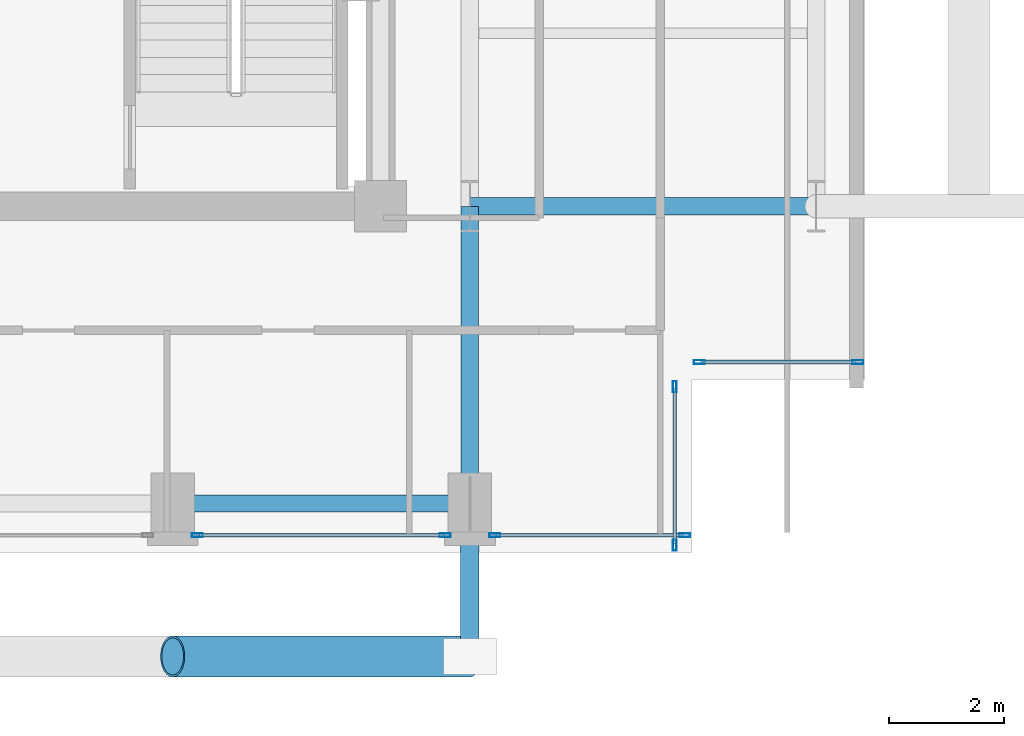
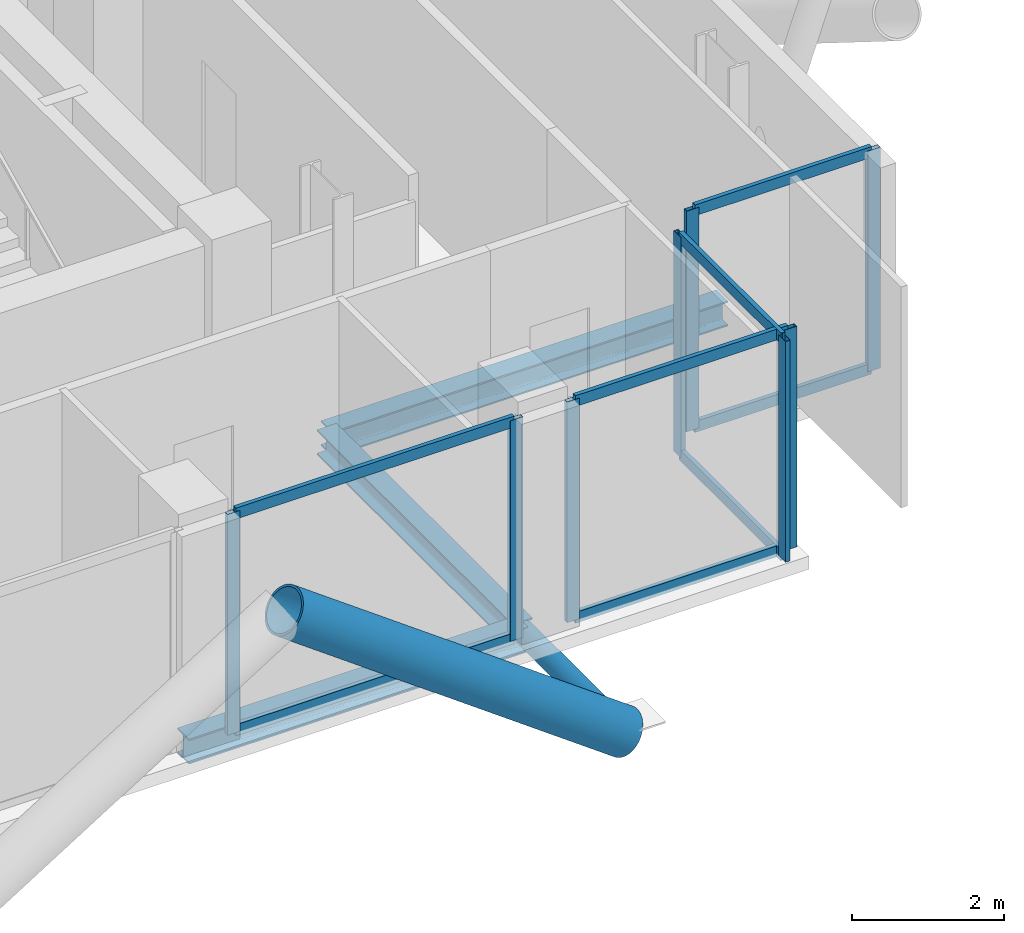
# One storey, part 10 of 22: 18 members, 3 beams, 4 elements without a shape of their own.
"""IFC4 building model written with IfcOpenShell, lengths in metres."""

from ifc_helpers import new_model, si_unit, direction, frame, origin, origin_2d, place, context, subcontext, project, spatial, hollow_rectangle, hollow_circle, i_section, extrude, material, layer, layer_set, material_profile, profile_set, type_object, element, aggregate, save


model = new_model("IFC4")

# Units and contexts
model_context = context("Model", 3, precision=1e-05, world=origin(), true_north=direction((0.0, 1.0)))
body_context = subcontext(model_context, "Body", "Model", "MODEL_VIEW")
ifc_project = project(units=[si_unit("LENGTHUNIT", "METRE"), si_unit("AREAUNIT", "SQUARE_METRE"), si_unit("VOLUMEUNIT", "CUBIC_METRE"), si_unit("PLANEANGLEUNIT", "RADIAN"), si_unit("MASSUNIT", "GRAM", prefix="KILO"), si_unit("THERMODYNAMICTEMPERATUREUNIT", "KELVIN"), si_unit("POWERUNIT", "WATT")], contexts=[model_context])

# Site, building, storey
site_placement = place(None, origin())
site = spatial("IfcSite", under=ifc_project, at=site_placement, CompositionType="ELEMENT")
building_placement = place(site_placement, origin())
building = spatial("IfcBuilding", under=site, at=building_placement, Name="Svarakhadi Broadcast Tower", CompositionType="ELEMENT")
storey_placement = place(building_placement, frame((0.0, 0.0, 191.699951171875)))
storey = spatial("IfcBuildingStorey", under=building, at=storey_placement, Name="L47", CompositionType="ELEMENT", Elevation=191.699951171875)

# Curtain wall, members
ifc_material_1 = material(Name="Anodised Bronze Aluminium AA 6063-T6", Category="aluminium")
ifc_layer = layer(ifc_material_1, 0.18994140625)
ifc_layer_set = layer_set([ifc_layer], Name="Anodised Bronze Aluminium AA 6063-T6")
curtain_wall_type = type_object("IfcCurtainWallType", Name="CW_Sys_04", PredefinedType="NOTDEFINED", material=ifc_layer_set)
curtain_wall_1_placement = place(storey_placement, origin())
curtain_wall_1 = element("IfcCurtainWall", 1, at=curtain_wall_1_placement, inside=storey, type_object=curtain_wall_type, Name="L47 Unitised Facade Curtain Wall 13", PredefinedType="NOTDEFINED")
ifc_material_profile_1 = material_profile(ifc_material_1, hollow_rectangle(XDim=0.070068359375, YDim=0.18994140625, WallThickness=0.005615234375, at=origin_2d()), Name="ALU MULLION 190x70x6")
ifc_profile_set_1 = profile_set([ifc_material_profile_1], Name="Anodised Bronze Aluminium AA 6063-T6")
member_type_1 = type_object("IfcMemberType", Name="CW_Sys_04_Mul", PredefinedType="MULLION", material=ifc_profile_set_1)
member_1_placement = place(storey_placement, frame((41.875, 3.300048828125, 0.0), z_axis=(0.0, 0.0, 1.0), x_axis=(0.0, -1.0, 0.0)))
member_1 = element("IfcMember", 2, at=member_1_placement, type_object=member_type_1, Name="CW-04 mullion 1", PredefinedType="MULLION", context=body_context, shape_type="SweptSolid", body=[
    extrude(hollow_rectangle(XDim=0.070068359375, YDim=0.18994140625, WallThickness=0.005615234375, at=origin_2d()), origin(), (0.0, 0.0, 1.0), 3.5400390625),
])
member_2_placement = place(storey_placement, frame((39.125, 3.300048828125, 0.0), z_axis=(0.0, 0.0, 1.0), x_axis=(0.0, -1.0, 0.0)))
member_2 = element("IfcMember", 3, at=member_2_placement, type_object=member_type_1, Name="CW-04 mullion 2", PredefinedType="MULLION", context=body_context, shape_type="SweptSolid", body=[
    extrude(hollow_rectangle(XDim=0.070068359375, YDim=0.18994140625, WallThickness=0.005615234375, at=origin_2d()), origin(), (0.0, 0.0, 1.0), 3.5400390625),
])

curtain_wall_2_placement = place(storey_placement, origin())
curtain_wall_2 = element("IfcCurtainWall", 4, at=curtain_wall_2_placement, inside=storey, type_object=curtain_wall_type, Name="L47 Unitised Facade Curtain Wall 14", PredefinedType="NOTDEFINED")
member_3_placement = place(storey_placement, frame((38.699951171875, 2.875, 0.0), z_axis=(0.0, 0.0, 1.0), x_axis=(1.0, 0.0, 0.0)))
member_3 = element("IfcMember", 5, at=member_3_placement, type_object=member_type_1, Name="CW-04 mullion 1", PredefinedType="MULLION", context=body_context, shape_type="SweptSolid", body=[
    extrude(hollow_rectangle(XDim=0.070068359375, YDim=0.18994140625, WallThickness=0.005615234375, at=origin_2d()), origin(), (0.0, 0.0, 1.0), 3.5400390625),
])
member_4_placement = place(storey_placement, frame((38.699951171875, 0.125, 0.0), z_axis=(0.0, 0.0, 1.0), x_axis=(1.0, 0.0, 0.0)))
member_4 = element("IfcMember", 6, at=member_4_placement, type_object=member_type_1, Name="CW-04 mullion 2", PredefinedType="MULLION", context=body_context, shape_type="SweptSolid", body=[
    extrude(hollow_rectangle(XDim=0.070068359375, YDim=0.18994140625, WallThickness=0.005615234375, at=origin_2d()), origin(), (0.0, 0.0, 1.0), 3.5400390625),
])

curtain_wall_3_placement = place(storey_placement, origin())
curtain_wall_3 = element("IfcCurtainWall", 7, at=curtain_wall_3_placement, inside=storey, type_object=curtain_wall_type, Name="L47 South Curtain Wall 15 Bay 1", PredefinedType="NOTDEFINED")
member_5_placement = place(storey_placement, frame((38.875, 0.300048828125, 0.0), z_axis=(0.0, 0.0, 1.0), x_axis=(0.0, -1.0, 0.0)))
member_5 = element("IfcMember", 8, at=member_5_placement, type_object=member_type_1, Name="CW-04 mullion 1", PredefinedType="MULLION", context=body_context, shape_type="SweptSolid", body=[
    extrude(hollow_rectangle(XDim=0.070068359375, YDim=0.18994140625, WallThickness=0.005615234375, at=origin_2d()), origin(), (0.0, 0.0, 1.0), 3.5400390625),
])
member_6_placement = place(storey_placement, frame((35.580078125, 0.300048828125, 0.0), z_axis=(0.0, 0.0, 1.0), x_axis=(0.0, -1.0, 0.0)))
member_6 = element("IfcMember", 9, at=member_6_placement, type_object=member_type_1, Name="CW-04 mullion 2", PredefinedType="MULLION", context=body_context, shape_type="SweptSolid", body=[
    extrude(hollow_rectangle(XDim=0.070068359375, YDim=0.18994140625, WallThickness=0.005615234375, at=origin_2d()), origin(), (0.0, 0.0, 1.0), 3.5400390625),
])

curtain_wall_4_placement = place(storey_placement, origin())
curtain_wall_4 = element("IfcCurtainWall", 10, at=curtain_wall_4_placement, inside=storey, type_object=curtain_wall_type, Name="L47 South Curtain Wall 15 Bay 2", PredefinedType="NOTDEFINED")
member_7_placement = place(storey_placement, frame((34.719970703125, 0.300048828125, 0.0), z_axis=(0.0, 0.0, 1.0), x_axis=(0.0, -1.0, 0.0)))
member_7 = element("IfcMember", 11, at=member_7_placement, type_object=member_type_1, Name="CW-04 mullion 1", PredefinedType="MULLION", context=body_context, shape_type="SweptSolid", body=[
    extrude(hollow_rectangle(XDim=0.070068359375, YDim=0.18994140625, WallThickness=0.005615234375, at=origin_2d()), origin(), (0.0, 0.0, 1.0), 3.5400390625),
])
member_8_placement = place(storey_placement, frame((30.429931640625, 0.300048828125, 0.0), z_axis=(0.0, 0.0, 1.0), x_axis=(0.0, -1.0, 0.0)))
member_8 = element("IfcMember", 12, at=member_8_placement, type_object=member_type_1, Name="CW-04 mullion 2", PredefinedType="MULLION", context=body_context, shape_type="SweptSolid", body=[
    extrude(hollow_rectangle(XDim=0.070068359375, YDim=0.18994140625, WallThickness=0.005615234375, at=origin_2d()), origin(), (0.0, 0.0, 1.0), 3.5400390625),
])

# Member
ifc_material_profile_2 = material_profile(ifc_material_1, hollow_rectangle(XDim=0.06494140625, YDim=0.175048828125, WallThickness=0.0048828125, at=origin_2d()), Name="ALU TRANSOM 175x65x5")
ifc_profile_set_2 = profile_set([ifc_material_profile_2], Name="Anodised Bronze Aluminium AA 6063-T6")
member_type_2 = type_object("IfcMemberType", Name="CW_Sys_04_Trn", PredefinedType="USERDEFINED", material=ifc_profile_set_2)
member_9_placement = place(storey_placement, frame((41.840087890625, 3.300048828125, 0.032470703125), z_axis=(-1.0, 0.0, 0.0), x_axis=(0.0, -1.0, 0.0)))
member_9 = element("IfcMember", 13, at=member_9_placement, type_object=member_type_2, Name="CW-04 transom 1.1", ObjectType="TRANSOM", PredefinedType="USERDEFINED", context=body_context, shape_type="SweptSolid", body=[
    extrude(hollow_rectangle(XDim=0.06494140625, YDim=0.175048828125, WallThickness=0.0048828125, at=origin_2d()), origin(), (0.0, 0.0, 1.0), 2.68017578125),
])

member_10_placement = place(storey_placement, frame((41.840087890625, 3.300048828125, 3.507568359375), z_axis=(-1.0, 0.0, 0.0), x_axis=(0.0, -1.0, 0.0)))
member_10 = element("IfcMember", 14, at=member_10_placement, type_object=member_type_2, Name="CW-04 transom 1.2", ObjectType="TRANSOM", PredefinedType="USERDEFINED", context=body_context, shape_type="SweptSolid", body=[
    extrude(hollow_rectangle(XDim=0.06494140625, YDim=0.175048828125, WallThickness=0.0048828125, at=origin_2d()), origin(), (0.0, 0.0, 1.0), 2.68017578125),
])

aggregate(curtain_wall_1, [member_1, member_2, member_9, member_10])

member_11_placement = place(storey_placement, frame((38.699951171875, 2.840087890625, 0.032470703125), z_axis=(0.0, -1.0, 0.0), x_axis=(1.0, 0.0, 0.0)))
member_11 = element("IfcMember", 15, at=member_11_placement, type_object=member_type_2, Name="CW-04 transom 1.1", ObjectType="TRANSOM", PredefinedType="USERDEFINED", context=body_context, shape_type="SweptSolid", body=[
    extrude(hollow_rectangle(XDim=0.06494140625, YDim=0.175048828125, WallThickness=0.0048828125, at=origin_2d()), origin(), (0.0, 0.0, 1.0), 2.68017578125),
])

member_12_placement = place(storey_placement, frame((38.699951171875, 2.840087890625, 3.507568359375), z_axis=(0.0, -1.0, 0.0), x_axis=(1.0, 0.0, 0.0)))
member_12 = element("IfcMember", 16, at=member_12_placement, type_object=member_type_2, Name="CW-04 transom 1.2", ObjectType="TRANSOM", PredefinedType="USERDEFINED", context=body_context, shape_type="SweptSolid", body=[
    extrude(hollow_rectangle(XDim=0.06494140625, YDim=0.175048828125, WallThickness=0.0048828125, at=origin_2d()), origin(), (0.0, 0.0, 1.0), 2.68017578125),
])

aggregate(curtain_wall_2, [member_3, member_4, member_11, member_12])

member_13_placement = place(storey_placement, frame((38.840087890625, 0.300048828125, 0.032470703125), z_axis=(-1.0, 0.0, 0.0), x_axis=(0.0, -1.0, 0.0)))
member_13 = element("IfcMember", 17, at=member_13_placement, type_object=member_type_2, Name="CW-04 transom 1.1", ObjectType="TRANSOM", PredefinedType="USERDEFINED", context=body_context, shape_type="SweptSolid", body=[
    extrude(hollow_rectangle(XDim=0.06494140625, YDim=0.175048828125, WallThickness=0.0048828125, at=origin_2d()), origin(), (0.0, 0.0, 1.0), 3.22509765625),
])

member_14_placement = place(storey_placement, frame((38.840087890625, 0.300048828125, 3.507568359375), z_axis=(-1.0, 0.0, 0.0), x_axis=(0.0, -1.0, 0.0)))
member_14 = element("IfcMember", 18, at=member_14_placement, type_object=member_type_2, Name="CW-04 transom 1.2", ObjectType="TRANSOM", PredefinedType="USERDEFINED", context=body_context, shape_type="SweptSolid", body=[
    extrude(hollow_rectangle(XDim=0.06494140625, YDim=0.175048828125, WallThickness=0.0048828125, at=origin_2d()), origin(), (0.0, 0.0, 1.0), 3.22509765625),
])

aggregate(curtain_wall_3, [member_5, member_6, member_13, member_14])

member_15_placement = place(storey_placement, frame((34.68505859375, 0.300048828125, 0.032470703125), z_axis=(-1.0, 0.0, 0.0), x_axis=(0.0, -1.0, 0.0)))
member_15 = element("IfcMember", 19, at=member_15_placement, type_object=member_type_2, Name="CW-04 transom 1.1", ObjectType="TRANSOM", PredefinedType="USERDEFINED", context=body_context, shape_type="SweptSolid", body=[
    extrude(hollow_rectangle(XDim=0.06494140625, YDim=0.175048828125, WallThickness=0.0048828125, at=origin_2d()), origin(), (0.0, 0.0, 1.0), 4.219970703125),
])

member_16_placement = place(storey_placement, frame((34.68505859375, 0.300048828125, 3.507568359375), z_axis=(-1.0, 0.0, 0.0), x_axis=(0.0, -1.0, 0.0)))
member_16 = element("IfcMember", 20, at=member_16_placement, type_object=member_type_2, Name="CW-04 transom 1.2", ObjectType="TRANSOM", PredefinedType="USERDEFINED", context=body_context, shape_type="SweptSolid", body=[
    extrude(hollow_rectangle(XDim=0.06494140625, YDim=0.175048828125, WallThickness=0.0048828125, at=origin_2d()), origin(), (0.0, 0.0, 1.0), 4.219970703125),
])

aggregate(curtain_wall_4, [member_7, member_8, member_15, member_16])

# Members
ifc_material_2 = material(Name="Steel S460ML (IS 2062 E450BR)", Category="steel")
ifc_material_profile_3 = material_profile(ifc_material_2, hollow_circle(Radius=0.35546875, WallThickness=0.034912109375, at=origin_2d()), Name="CHS 711x35")
ifc_profile_set_3 = profile_set([ifc_material_profile_3], Name="Steel S460ML (IS 2062 E450BR)")
member_type_3 = type_object("IfcMemberType", Name="Exo_Brace_CHS711", PredefinedType="BRACE", material=ifc_profile_set_3)
member_17_placement = place(storey_placement, frame((35.14990234375, -1.800048828125, -0.371826171875), z_axis=(-0.808391243061, 0.0, 0.588645562407), x_axis=(0.0, -1.0, 0.0)))
element("IfcMember", 21, at=member_17_placement, inside=storey, type_object=member_type_3, Name="L47 Exposed Bronze Exoskeleton Diagonal S02", PredefinedType="BRACE", context=body_context, shape_type="SweptSolid", body=[
    extrude(hollow_circle(Radius=0.35546875, WallThickness=0.034912109375, at=origin_2d()), origin(), (0.0, 0.0, 1.0), 6.37060546875),
])
ifc_material_profile_4 = material_profile(ifc_material_2, hollow_circle(Radius=0.161865234375, WallThickness=0.01611328125, at=origin_2d()), Name="CHS 323.9x16")
ifc_profile_set_4 = profile_set([ifc_material_profile_4], Name="Steel S460ML (IS 2062 E450BR)")
member_type_4 = type_object("IfcMemberType", Name="Exo_Radial_Strut_Z2", PredefinedType="STRUT", material=ifc_profile_set_4)
member_18_placement = place(storey_placement, frame((35.14990234375, -1.800048828125, -0.371826171875), z_axis=(0.0, 1.0, 0.0), x_axis=(-1.0, 0.0, 0.0)))
element("IfcMember", 22, at=member_18_placement, inside=storey, type_object=member_type_4, Name="L47 Exoskeleton Radial Tie Strut S02", PredefinedType="STRUT", context=body_context, shape_type="SweptSolid", body=[
    extrude(hollow_circle(Radius=0.161865234375, WallThickness=0.01611328125, at=origin_2d()), origin(), (0.0, 0.0, 1.0), 2.650146484375),
])

# Beams
ifc_material_3 = material(Name="Steel S355J2 (IS 2062 E350C)", Category="steel")
ifc_material_profile_5 = material_profile(ifc_material_3, i_section(OverallWidth=0.300048828125, OverallDepth=0.39990234375, WebThickness=0.013427734375, FlangeThickness=0.02392578125, FilletRadius=0.027099609375, at=origin_2d()), Name="WPB 400x300x155")
ifc_profile_set_5 = profile_set([ifc_material_profile_5], Name="Steel S355J2 (IS 2062 E350C)")
beam_type = type_object("IfcBeamType", Name="Girder_WPB400", PredefinedType="USERDEFINED", material=ifc_profile_set_5)
beam_1_placement = place(storey_placement, frame((30.0, 0.85009765625, -0.409912109375), z_axis=(1.0, 0.0, 0.0), x_axis=(0.0, 1.0, 0.0)))
element("IfcBeam", 23, at=beam_1_placement, inside=storey, type_object=beam_type, Name="L47 Primary E-W Girder G008", ObjectType="GIRDER", PredefinedType="USERDEFINED", context=body_context, shape_type="SweptSolid", body=[
    extrude(i_section(OverallWidth=0.300048828125, OverallDepth=0.39990234375, WebThickness=0.013427734375, FlangeThickness=0.02392578125, FilletRadius=0.027099609375, at=origin_2d()), origin(), (0.0, 0.0, 1.0), 5.14990234375),
])
beam_2_placement = place(storey_placement, frame((35.14990234375, 6.0, -0.409912109375), z_axis=(1.0, 0.0, 0.0), x_axis=(0.0, 1.0, 0.0)))
element("IfcBeam", 24, at=beam_2_placement, inside=storey, type_object=beam_type, Name="L47 Primary E-W Girder G014", ObjectType="GIRDER", PredefinedType="USERDEFINED", context=body_context, shape_type="SweptSolid", body=[
    extrude(i_section(OverallWidth=0.300048828125, OverallDepth=0.39990234375, WebThickness=0.013427734375, FlangeThickness=0.02392578125, FilletRadius=0.027099609375, at=origin_2d()), origin(), (0.0, 0.0, 1.0), 6.0),
])
beam_3_placement = place(storey_placement, frame((35.14990234375, 0.85009765625, -0.409912109375), z_axis=(0.0, 1.0, 0.0), x_axis=(-1.0, 0.0, 0.0)))
element("IfcBeam", 25, at=beam_3_placement, inside=storey, type_object=beam_type, Name="L47 Primary N-S Girder G056", ObjectType="GIRDER", PredefinedType="USERDEFINED", context=body_context, shape_type="SweptSolid", body=[
    extrude(i_section(OverallWidth=0.300048828125, OverallDepth=0.39990234375, WebThickness=0.013427734375, FlangeThickness=0.02392578125, FilletRadius=0.027099609375, at=origin_2d()), origin(), (0.0, 0.0, 1.0), 5.14990234375),
])

save(model, "model.ifc")
